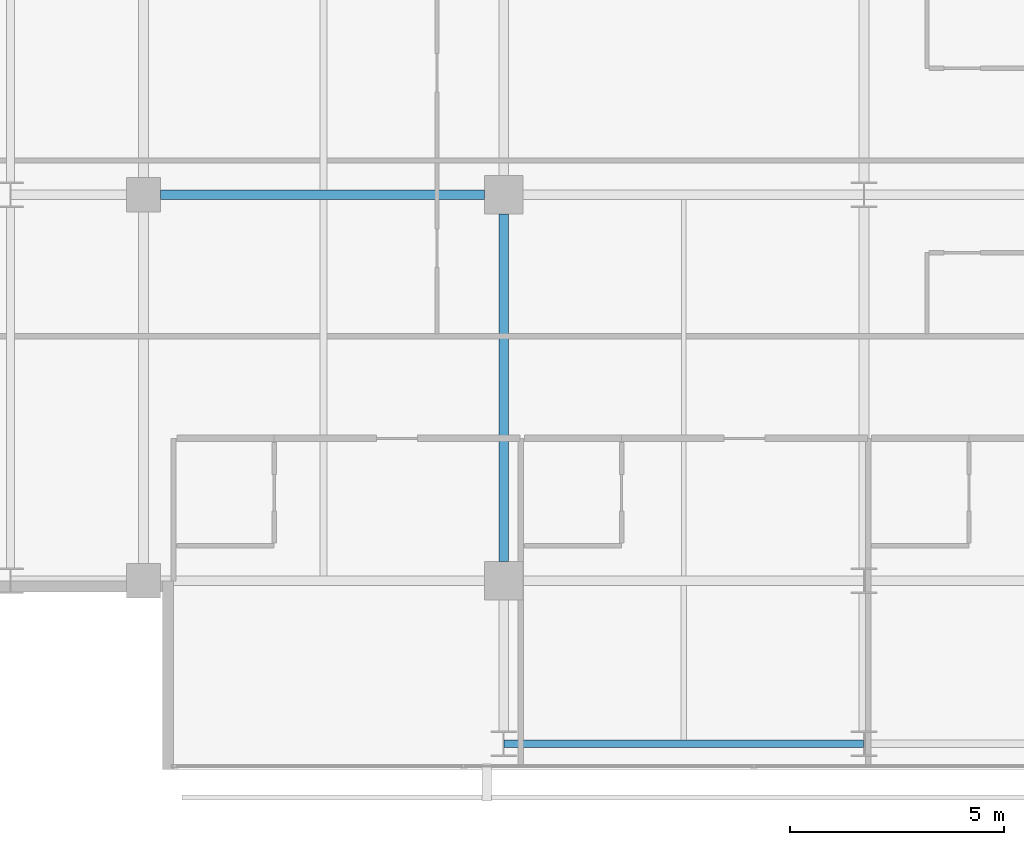
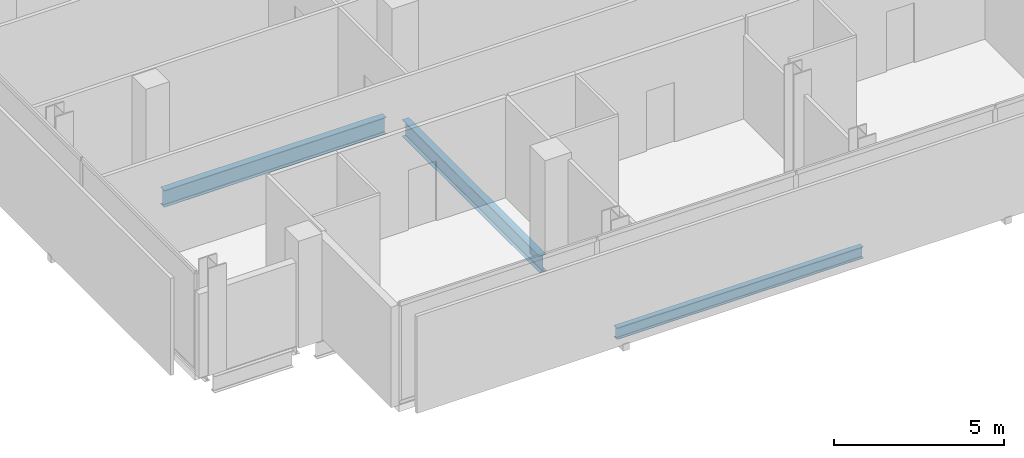
# One storey, part 5 of 34: 3 beams.
"""IFC4 building model written with IfcOpenShell, lengths in metres."""

from ifc_helpers import new_model, si_unit, direction, frame, origin, origin_2d, place, context, subcontext, project, spatial, i_section, extrude, material, material_profile, profile_set, type_object, element, save


model = new_model("IFC4")

# Units and contexts
model_context = context("Model", 3, precision=1e-05, world=origin(), true_north=direction((0.0, 1.0)))
body_context = subcontext(model_context, "Body", "Model", "MODEL_VIEW")
ifc_project = project(units=[si_unit("LENGTHUNIT", "METRE"), si_unit("AREAUNIT", "SQUARE_METRE"), si_unit("VOLUMEUNIT", "CUBIC_METRE"), si_unit("PLANEANGLEUNIT", "RADIAN"), si_unit("MASSUNIT", "GRAM", prefix="KILO")], contexts=[model_context])

# Site, building, storey
site_placement = place(None, origin())
site = spatial("IfcSite", under=ifc_project, at=site_placement, CompositionType="ELEMENT")
building_placement = place(site_placement, origin())
building = spatial("IfcBuilding", under=site, at=building_placement, Name="Maruvema Waterfront Hotel and Observation Tower", CompositionType="ELEMENT")
storey_placement = place(building_placement, frame((0.0, 0.0, 177.449951171875)))
storey = spatial("IfcBuildingStorey", under=building, at=storey_placement, Name="L43", CompositionType="ELEMENT", Elevation=177.449951171875)

# Beams
ifc_material_1 = material(Name="Steel ASTM A572 Grade 50", Category="steel")
ifc_material_profile_1 = material_profile(ifc_material_1, i_section(OverallWidth=0.180908203125, OverallDepth=0.4169921875, WebThickness=0.010986328125, FlangeThickness=0.018310546875, FilletRadius=0.014892578125, at=origin_2d()), Name="W410x85.0")
ifc_profile_set_1 = profile_set([ifc_material_profile_1], Name="Steel ASTM A572 Grade 50")
beam_type_1 = type_object("IfcBeamType", Name="Perimeter Spandrel Beam W410x85.0", PredefinedType="SPANDREL", material=ifc_profile_set_1)
beam_1_placement = place(storey_placement, frame((25.21240234375, 5.199951171875, -0.448486328125), z_axis=(1.0, 0.0, 0.0), x_axis=(0.0, 1.0, 0.0)))
element("IfcBeam", 1, at=beam_1_placement, inside=storey, type_object=beam_type_1, Name="L43 Floor Girder EW-01", PredefinedType="SPANDREL", context=body_context, shape_type="SweptSolid", body=[
    extrude(i_section(OverallWidth=0.180908203125, OverallDepth=0.4169921875, WebThickness=0.010986328125, FlangeThickness=0.018310546875, FilletRadius=0.014892578125, at=origin_2d()), origin(), (0.0, 0.0, 1.0), 8.375),
])
ifc_material_2 = material(Name="Steel ASTM A572 Grade 50", Category="steel")
ifc_material_profile_2 = material_profile(ifc_material_2, i_section(OverallWidth=0.22802734375, OverallDepth=0.60302734375, WebThickness=0.010498046875, FlangeThickness=0.014892578125, FilletRadius=0.01806640625, at=origin_2d()), Name="W610x101.0")
ifc_profile_set_2 = profile_set([ifc_material_profile_2], Name="Steel ASTM A572 Grade 50")
beam_type_2 = type_object("IfcBeamType", Name="Primary Floor Girder W610x101.0", PredefinedType="BEAM", material=ifc_profile_set_2)
beam_2_placement = place(storey_placement, frame((17.199951171875, 18.0, -0.54150390625), z_axis=(1.0, 0.0, 0.0), x_axis=(0.0, 1.0, 0.0)))
element("IfcBeam", 2, at=beam_2_placement, inside=storey, type_object=beam_type_2, Name="L43 Floor Girder EW-12", PredefinedType="BEAM", context=body_context, shape_type="SweptSolid", body=[
    extrude(i_section(OverallWidth=0.22802734375, OverallDepth=0.60302734375, WebThickness=0.010498046875, FlangeThickness=0.014892578125, FilletRadius=0.01806640625, at=origin_2d()), origin(), (0.0, 0.0, 1.0), 7.550048828125),
])
beam_3_placement = place(storey_placement, frame((25.199951171875, 9.449951171875, -0.54150390625), z_axis=(0.0, 1.0, 0.0), x_axis=(-1.0, 0.0, 0.0)))
element("IfcBeam", 3, at=beam_3_placement, inside=storey, type_object=beam_type_2, Name="L43 Floor Girder NS-10", PredefinedType="BEAM", context=body_context, shape_type="SweptSolid", body=[
    extrude(i_section(OverallWidth=0.22802734375, OverallDepth=0.60302734375, WebThickness=0.010498046875, FlangeThickness=0.014892578125, FilletRadius=0.01806640625, at=origin_2d()), origin(), (0.0, 0.0, 1.0), 8.10009765625),
])

save(model, "model.ifc")
